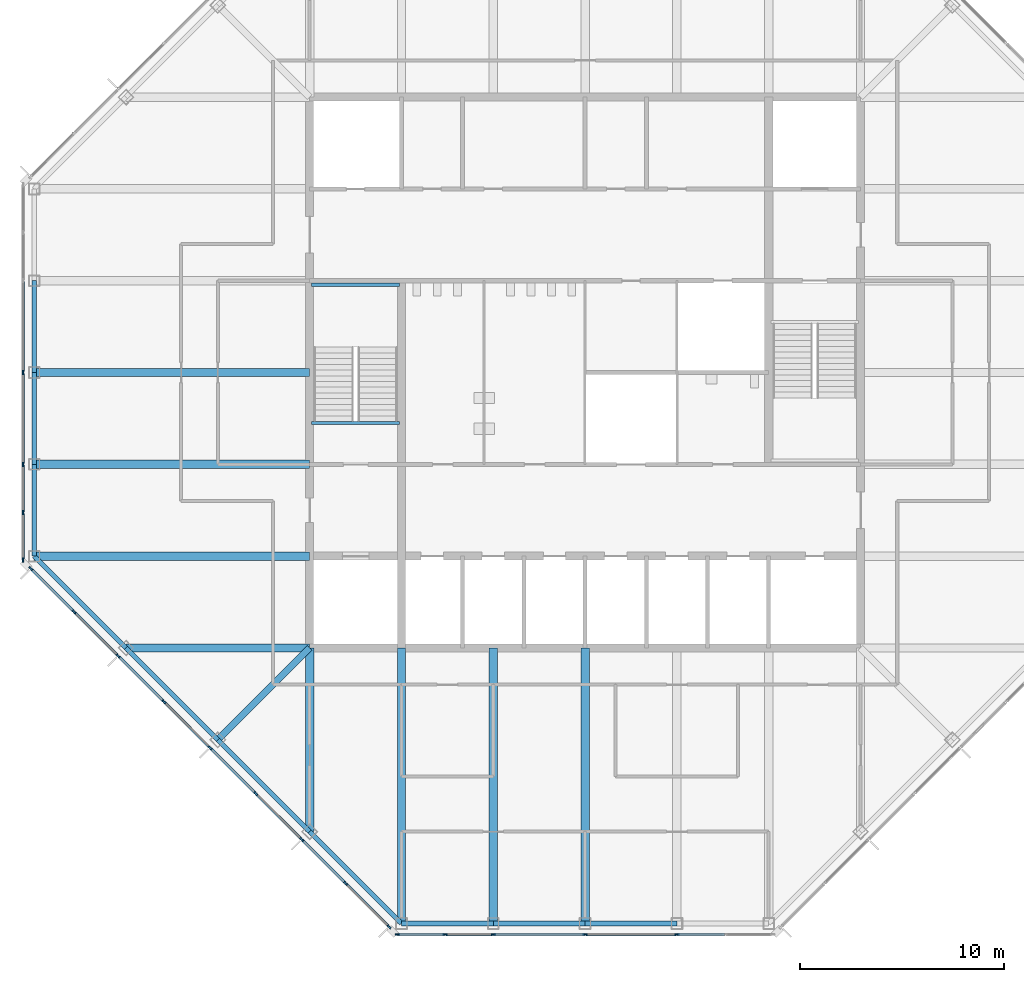
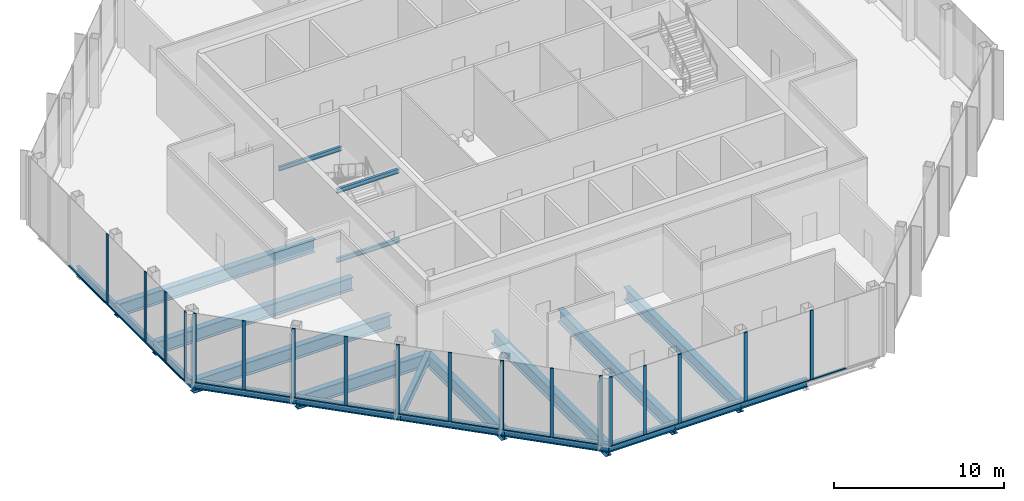
# One storey, part 2 of 11: 35 members, 22 beams, 3 elements without a shape of their own.
"""IFC4 building model written with IfcOpenShell, lengths in metres."""

from ifc_helpers import new_model, si_unit, direction, frame, origin, origin_2d, place, context, subcontext, project, spatial, rectangle, i_section, extrude, material, material_profile, profile_set, type_object, element, aggregate, save


model = new_model("IFC4")

# Units and contexts
model_context = context("Model", 3, precision=1e-05, world=origin(), true_north=direction((0.0, 1.0)))
body_context = subcontext(model_context, "Body", "Model", "MODEL_VIEW")
ifc_project = project(units=[si_unit("LENGTHUNIT", "METRE"), si_unit("AREAUNIT", "SQUARE_METRE"), si_unit("VOLUMEUNIT", "CUBIC_METRE"), si_unit("PLANEANGLEUNIT", "RADIAN"), si_unit("MASSUNIT", "GRAM", prefix="KILO")], contexts=[model_context])

# Site, building, storey
site_placement = place(None, origin())
site = spatial("IfcSite", under=ifc_project, at=site_placement, CompositionType="ELEMENT")
building_placement = place(site_placement, origin())
building = spatial("IfcBuilding", under=site, at=building_placement, Name="Corais Broadcast Tower", CompositionType="ELEMENT")
storey_placement = place(building_placement, frame((0.0, 0.0, 315.10009765625)))
storey = spatial("IfcBuildingStorey", under=building, at=storey_placement, Name="L74", CompositionType="ELEMENT", Elevation=315.10009765625)

# Beams
ifc_material_1 = material(Name="Steel ASTM A572 Grade 50", Category="steel")
ifc_material_profile_1 = material_profile(ifc_material_1, i_section(OverallWidth=0.323974609375, OverallDepth=0.611083984375, WebThickness=0.0126953125, FlangeThickness=0.01904296875, at=origin_2d()), Name="W610x155")
ifc_profile_set_1 = profile_set([ifc_material_profile_1], Name="Steel ASTM A572 Grade 50")
beam_type_1 = type_object("IfcBeamType", Name="Corner diagonal W610x155", PredefinedType="BEAM", material=ifc_profile_set_1)
beam_1_placement = place(storey_placement, frame((9.0, 9.0, -0.485595703125), z_axis=(0.707106781187, 0.707106781187, 0.0), x_axis=(-0.707106781187, 0.707106781187, 0.0)))
element("IfcBeam", 1, at=beam_1_placement, inside=storey, type_object=beam_type_1, Name="B6 C/5 to D/6", PredefinedType="BEAM", context=body_context, shape_type="SweptSolid", body=[
    extrude(i_section(OverallWidth=0.323974609375, OverallDepth=0.611083984375, WebThickness=0.0126953125, FlangeThickness=0.01904296875, at=origin_2d()), origin(), (0.0, 0.0, 1.0), 6.364013671875),
])
ifc_material_2 = material(Name="Steel ASTM A572 Grade 50", Category="steel")
ifc_material_profile_2 = material_profile(ifc_material_2, i_section(OverallWidth=0.1650390625, OverallDepth=0.31005859375, WebThickness=0.005859375, FlangeThickness=0.009765625, at=origin_2d()), Name="W310x38.7")
ifc_profile_set_2 = profile_set([ifc_material_profile_2], Name="Steel ASTM A572 Grade 50")
beam_type_2 = type_object("IfcBeamType", Name="Landing trimmer W310x38.7", PredefinedType="BEAM", material=ifc_profile_set_2)
for number, where, z_axis, x_axis, name in (
    (2, (13.60009765625, 24.52490234375, -0.35498046875), (1.0, 0.0, 0.0), (0.0, 1.0, 0.0), "LT1 stair A landing trimmer L74"),
    (3, (13.60009765625, 24.52490234375, 4.64501953125), (1.0, 0.0, 0.0), (0.0, 1.0, 0.0), "LT1 stair A landing trimmer L74"),
    (4, (13.60009765625, 31.31005859375, 2.14501953125), (1.0, 0.0, 0.0), (0.0, 1.0, 0.0), "LT1 stair A half landing trimmer L74"),
):
    element("IfcBeam", number, at=place(storey_placement, frame(where, z_axis=z_axis, x_axis=x_axis)), inside=storey, type_object=beam_type_2, Name=name, PredefinedType="BEAM", context=body_context, shape_type="SweptSolid", body=[
        extrude(i_section(OverallWidth=0.1650390625, OverallDepth=0.31005859375, WebThickness=0.005859375, FlangeThickness=0.009765625, at=origin_2d()), origin(), (0.0, 0.0, 1.0), 4.2998046875),
    ])

# Curtain wall, members
ifc_material_3 = material(Name="Aluminium and glass", Category="aluminium")
curtain_wall_type = type_object("IfcCurtainWallType", Name="Event hall curtain wall CW6", PredefinedType="NOTDEFINED", material=ifc_material_3)
curtain_wall_1_placement = place(storey_placement, origin())
curtain_wall_1 = element("IfcCurtainWall", 5, at=curtain_wall_1_placement, inside=storey, type_object=curtain_wall_type, Name="CW6 curtain wall L74 1", PredefinedType="NOTDEFINED")
ifc_material_4 = material(Name="Aluminium 6063-T6", Category="aluminium")
ifc_material_profile_3 = material_profile(ifc_material_4, rectangle(XDim=0.080078125, YDim=0.219970703125, at=origin_2d()), Name="Mullion CW6 80x220")
ifc_profile_set_3 = profile_set([ifc_material_profile_3], Name="Aluminium 6063-T6")
member_type_1 = type_object("IfcMemberType", Name="Mullion CW6 80x220", PredefinedType="MULLION", material=ifc_profile_set_3)
member_1_placement = place(storey_placement, frame((17.390380859375, -0.168212890625, 0.0), z_axis=(0.0, 0.0, 1.0), x_axis=(-0.707106781187, -0.707106781187, 0.0)))
member_1 = element("IfcMember", 6, at=member_1_placement, type_object=member_type_1, Name="CW6 mullion 1", PredefinedType="MULLION", context=body_context, shape_type="SweptSolid", body=[
    extrude(rectangle(XDim=0.080078125, YDim=0.219970703125, at=origin_2d()), origin(), (0.0, 0.0, 1.0), 5.0),
])
member_2_placement = place(storey_placement, frame((15.264892578125, 1.957275390625, 0.0), z_axis=(0.0, 0.0, 1.0), x_axis=(-0.707106781187, -0.707106781187, 0.0)))
member_2 = element("IfcMember", 7, at=member_2_placement, type_object=member_type_1, Name="CW6 mullion 2", PredefinedType="MULLION", context=body_context, shape_type="SweptSolid", body=[
    extrude(rectangle(XDim=0.080078125, YDim=0.219970703125, at=origin_2d()), origin(), (0.0, 0.0, 1.0), 5.0),
])
member_3_placement = place(storey_placement, frame((13.111083984375, 4.111083984375, 0.0), z_axis=(0.0, 0.0, 1.0), x_axis=(-0.707106781187, -0.707106781187, 0.0)))
member_3 = element("IfcMember", 8, at=member_3_placement, type_object=member_type_1, Name="CW6 mullion 3", PredefinedType="MULLION", context=body_context, shape_type="SweptSolid", body=[
    extrude(rectangle(XDim=0.080078125, YDim=0.219970703125, at=origin_2d()), origin(), (0.0, 0.0, 1.0), 5.0),
])
member_4_placement = place(storey_placement, frame((10.861083984375, 6.361083984375, 0.0), z_axis=(0.0, 0.0, 1.0), x_axis=(-0.707106781187, -0.707106781187, 0.0)))
member_4 = element("IfcMember", 9, at=member_4_placement, type_object=member_type_1, Name="CW6 mullion 4", PredefinedType="MULLION", context=body_context, shape_type="SweptSolid", body=[
    extrude(rectangle(XDim=0.080078125, YDim=0.219970703125, at=origin_2d()), origin(), (0.0, 0.0, 1.0), 5.0),
])
member_5_placement = place(storey_placement, frame((8.611083984375, 8.611083984375, 0.0), z_axis=(0.0, 0.0, 1.0), x_axis=(-0.707106781187, -0.707106781187, 0.0)))
member_5 = element("IfcMember", 10, at=member_5_placement, type_object=member_type_1, Name="CW6 mullion 5", PredefinedType="MULLION", context=body_context, shape_type="SweptSolid", body=[
    extrude(rectangle(XDim=0.080078125, YDim=0.219970703125, at=origin_2d()), origin(), (0.0, 0.0, 1.0), 5.0),
])
member_6_placement = place(storey_placement, frame((6.361083984375, 10.861083984375, 0.0), z_axis=(0.0, 0.0, 1.0), x_axis=(-0.707106781187, -0.707106781187, 0.0)))
member_6 = element("IfcMember", 11, at=member_6_placement, type_object=member_type_1, Name="CW6 mullion 6", PredefinedType="MULLION", context=body_context, shape_type="SweptSolid", body=[
    extrude(rectangle(XDim=0.080078125, YDim=0.219970703125, at=origin_2d()), origin(), (0.0, 0.0, 1.0), 5.0),
])
member_7_placement = place(storey_placement, frame((4.111083984375, 13.111083984375, 0.0), z_axis=(0.0, 0.0, 1.0), x_axis=(-0.707106781187, -0.707106781187, 0.0)))
member_7 = element("IfcMember", 12, at=member_7_placement, type_object=member_type_1, Name="CW6 mullion 7", PredefinedType="MULLION", context=body_context, shape_type="SweptSolid", body=[
    extrude(rectangle(XDim=0.080078125, YDim=0.219970703125, at=origin_2d()), origin(), (0.0, 0.0, 1.0), 5.0),
])
member_8_placement = place(storey_placement, frame((1.957275390625, 15.264892578125, 0.0), z_axis=(0.0, 0.0, 1.0), x_axis=(-0.707106781187, -0.707106781187, 0.0)))
member_8 = element("IfcMember", 13, at=member_8_placement, type_object=member_type_1, Name="CW6 mullion 8", PredefinedType="MULLION", context=body_context, shape_type="SweptSolid", body=[
    extrude(rectangle(XDim=0.080078125, YDim=0.219970703125, at=origin_2d()), origin(), (0.0, 0.0, 1.0), 5.0),
])
member_9_placement = place(storey_placement, frame((-0.168212890625, 17.390380859375, 0.0), z_axis=(0.0, 0.0, 1.0), x_axis=(-0.707106781187, -0.707106781187, 0.0)))
member_9 = element("IfcMember", 14, at=member_9_placement, type_object=member_type_1, Name="CW6 mullion 9", PredefinedType="MULLION", context=body_context, shape_type="SweptSolid", body=[
    extrude(rectangle(XDim=0.080078125, YDim=0.219970703125, at=origin_2d()), origin(), (0.0, 0.0, 1.0), 5.0),
])

curtain_wall_2_placement = place(storey_placement, origin())
curtain_wall_2 = element("IfcCurtainWall", 15, at=curtain_wall_2_placement, inside=storey, type_object=curtain_wall_type, Name="CW6 curtain wall L74 2", PredefinedType="NOTDEFINED")
member_10_placement = place(storey_placement, frame((-0.550048828125, 17.812255859375, 0.0), z_axis=(0.0, 0.0, 1.0), x_axis=(-1.0, 0.0, 0.0)))
member_10 = element("IfcMember", 16, at=member_10_placement, type_object=member_type_1, Name="CW6 mullion 1", PredefinedType="MULLION", context=body_context, shape_type="SweptSolid", body=[
    extrude(rectangle(XDim=0.080078125, YDim=0.219970703125, at=origin_2d()), origin(), (0.0, 0.0, 1.0), 5.0),
])
member_11_placement = place(storey_placement, frame((-0.550048828125, 20.135986328125, 0.0), z_axis=(0.0, 0.0, 1.0), x_axis=(-1.0, 0.0, 0.0)))
member_11 = element("IfcMember", 17, at=member_11_placement, type_object=member_type_1, Name="CW6 mullion 2", PredefinedType="MULLION", context=body_context, shape_type="SweptSolid", body=[
    extrude(rectangle(XDim=0.080078125, YDim=0.219970703125, at=origin_2d()), origin(), (0.0, 0.0, 1.0), 5.0),
])
member_12_placement = place(storey_placement, frame((-0.550048828125, 22.5, 0.0), z_axis=(0.0, 0.0, 1.0), x_axis=(-1.0, 0.0, 0.0)))
member_12 = element("IfcMember", 18, at=member_12_placement, type_object=member_type_1, Name="CW6 mullion 3", PredefinedType="MULLION", context=body_context, shape_type="SweptSolid", body=[
    extrude(rectangle(XDim=0.080078125, YDim=0.219970703125, at=origin_2d()), origin(), (0.0, 0.0, 1.0), 5.0),
])
member_13_placement = place(storey_placement, frame((-0.550048828125, 27.0, 0.0), z_axis=(0.0, 0.0, 1.0), x_axis=(-1.0, 0.0, 0.0)))
member_13 = element("IfcMember", 19, at=member_13_placement, type_object=member_type_1, Name="CW6 mullion 4", PredefinedType="MULLION", context=body_context, shape_type="SweptSolid", body=[
    extrude(rectangle(XDim=0.080078125, YDim=0.219970703125, at=origin_2d()), origin(), (0.0, 0.0, 1.0), 5.0),
])

curtain_wall_3_placement = place(storey_placement, origin())
curtain_wall_3 = element("IfcCurtainWall", 20, at=curtain_wall_3_placement, inside=storey, type_object=curtain_wall_type, Name="CW6 curtain wall L74 8", PredefinedType="NOTDEFINED")
member_14_placement = place(storey_placement, frame((31.5, -0.550048828125, 0.0), z_axis=(0.0, 0.0, 1.0), x_axis=(0.0, -1.0, 0.0)))
member_14 = element("IfcMember", 21, at=member_14_placement, type_object=member_type_1, Name="CW6 mullion 3", PredefinedType="MULLION", context=body_context, shape_type="SweptSolid", body=[
    extrude(rectangle(XDim=0.080078125, YDim=0.219970703125, at=origin_2d()), origin(), (0.0, 0.0, 1.0), 5.0),
])
member_15_placement = place(storey_placement, frame((27.0, -0.550048828125, 0.0), z_axis=(0.0, 0.0, 1.0), x_axis=(0.0, -1.0, 0.0)))
member_15 = element("IfcMember", 22, at=member_15_placement, type_object=member_type_1, Name="CW6 mullion 4", PredefinedType="MULLION", context=body_context, shape_type="SweptSolid", body=[
    extrude(rectangle(XDim=0.080078125, YDim=0.219970703125, at=origin_2d()), origin(), (0.0, 0.0, 1.0), 5.0),
])
member_16_placement = place(storey_placement, frame((22.5, -0.550048828125, 0.0), z_axis=(0.0, 0.0, 1.0), x_axis=(0.0, -1.0, 0.0)))
member_16 = element("IfcMember", 23, at=member_16_placement, type_object=member_type_1, Name="CW6 mullion 5", PredefinedType="MULLION", context=body_context, shape_type="SweptSolid", body=[
    extrude(rectangle(XDim=0.080078125, YDim=0.219970703125, at=origin_2d()), origin(), (0.0, 0.0, 1.0), 5.0),
])
member_17_placement = place(storey_placement, frame((20.135986328125, -0.550048828125, 0.0), z_axis=(0.0, 0.0, 1.0), x_axis=(0.0, -1.0, 0.0)))
member_17 = element("IfcMember", 24, at=member_17_placement, type_object=member_type_1, Name="CW6 mullion 6", PredefinedType="MULLION", context=body_context, shape_type="SweptSolid", body=[
    extrude(rectangle(XDim=0.080078125, YDim=0.219970703125, at=origin_2d()), origin(), (0.0, 0.0, 1.0), 5.0),
])
member_18_placement = place(storey_placement, frame((17.812255859375, -0.550048828125, 0.0), z_axis=(0.0, 0.0, 1.0), x_axis=(0.0, -1.0, 0.0)))
member_18 = element("IfcMember", 25, at=member_18_placement, type_object=member_type_1, Name="CW6 mullion 7", PredefinedType="MULLION", context=body_context, shape_type="SweptSolid", body=[
    extrude(rectangle(XDim=0.080078125, YDim=0.219970703125, at=origin_2d()), origin(), (0.0, 0.0, 1.0), 5.0),
])

# Beams
ifc_material_5 = material(Name="Steel ASTM A572 Grade 50", Category="steel")
ifc_material_profile_4 = material_profile(ifc_material_5, i_section(OverallWidth=0.408935546875, OverallDepth=0.927001953125, WebThickness=0.0166015625, FlangeThickness=0.030029296875, at=origin_2d()), Name="W920x289")
ifc_profile_set_4 = profile_set([ifc_material_profile_4], Name="Steel ASTM A572 Grade 50")
beam_type_3 = type_object("IfcBeamType", Name="Refuge floor beam W920x289", PredefinedType="BEAM", material=ifc_profile_set_4)
for number, where, z_axis, x_axis, name in (
    (26, (0.0, 18.0, -0.6435546875), (1.0, 0.0, 0.0), (0.0, 1.0, 0.0), "B13 E/3 to E/6"),
    (27, (0.0, 22.5, -0.6435546875), (1.0, 0.0, 0.0), (0.0, 1.0, 0.0), "B13 F/3 to F/6"),
    (28, (0.0, 27.0, -0.6435546875), (1.0, 0.0, 0.0), (0.0, 1.0, 0.0), "B13 G/3 to G/6"),
):
    element("IfcBeam", number, at=place(storey_placement, frame(where, z_axis=z_axis, x_axis=x_axis)), inside=storey, type_object=beam_type_3, Name=name, PredefinedType="BEAM", context=body_context, shape_type="SweptSolid", body=[
        extrude(i_section(OverallWidth=0.408935546875, OverallDepth=0.927001953125, WebThickness=0.0166015625, FlangeThickness=0.030029296875, at=origin_2d()), origin(), (0.0, 0.0, 1.0), 13.5),
    ])
beam_2_placement = place(storey_placement, frame((13.5, 4.5, -0.6435546875), z_axis=(0.0, 1.0, 0.0), x_axis=(-1.0, 0.0, 0.0)))
element("IfcBeam", 29, at=beam_2_placement, inside=storey, type_object=beam_type_3, Name="B13 B/6 to D/6", PredefinedType="BEAM", context=body_context, shape_type="SweptSolid", body=[
    extrude(i_section(OverallWidth=0.408935546875, OverallDepth=0.927001953125, WebThickness=0.0166015625, FlangeThickness=0.030029296875, at=origin_2d()), origin(), (0.0, 0.0, 1.0), 9.0),
])
for number, where, z_axis, x_axis, name in (
    (30, (18.0, 0.0, -0.6435546875), (0.0, 1.0, 0.0), (-1.0, 0.0, 0.0), "B13 A/7 to D/7"),
    (31, (22.5, 0.0, -0.6435546875), (0.0, 1.0, 0.0), (-1.0, 0.0, 0.0), "B13 A/8 to D/8"),
    (32, (27.0, 0.0, -0.6435546875), (0.0, 1.0, 0.0), (-1.0, 0.0, 0.0), "B13 A/9 to D/9"),
):
    element("IfcBeam", number, at=place(storey_placement, frame(where, z_axis=z_axis, x_axis=x_axis)), inside=storey, type_object=beam_type_3, Name=name, PredefinedType="BEAM", context=body_context, shape_type="SweptSolid", body=[
        extrude(i_section(OverallWidth=0.408935546875, OverallDepth=0.927001953125, WebThickness=0.0166015625, FlangeThickness=0.030029296875, at=origin_2d()), origin(), (0.0, 0.0, 1.0), 13.5),
    ])
beam_3_placement = place(storey_placement, frame((4.5, 13.5, -0.6435546875), z_axis=(1.0, 0.0, 0.0), x_axis=(0.0, 1.0, 0.0)))
element("IfcBeam", 33, at=beam_3_placement, inside=storey, type_object=beam_type_3, Name="B13 D/4 to D/6", PredefinedType="BEAM", context=body_context, shape_type="SweptSolid", body=[
    extrude(i_section(OverallWidth=0.408935546875, OverallDepth=0.927001953125, WebThickness=0.0166015625, FlangeThickness=0.030029296875, at=origin_2d()), origin(), (0.0, 0.0, 1.0), 9.0),
])
ifc_material_6 = material(Name="Steel ASTM A572 Grade 50", Category="steel")
ifc_material_profile_5 = material_profile(ifc_material_6, i_section(OverallWidth=0.22998046875, OverallDepth=0.616943359375, WebThickness=0.01318359375, FlangeThickness=0.022216796875, at=origin_2d()), Name="W610x140")
ifc_profile_set_5 = profile_set([ifc_material_profile_5], Name="Steel ASTM A572 Grade 50")
beam_type_4 = type_object("IfcBeamType", Name="Spandrel W610x140", PredefinedType="BEAM", material=ifc_profile_set_5)
beam_4_placement = place(storey_placement, frame((0.0, 18.0, -0.488525390625), z_axis=(0.707106781187, -0.707106781187, 0.0), x_axis=(0.707106781187, 0.707106781187, 0.0)))
element("IfcBeam", 34, at=beam_4_placement, inside=storey, type_object=beam_type_4, Name="SB3 E/3 to D/4", PredefinedType="BEAM", context=body_context, shape_type="SweptSolid", body=[
    extrude(i_section(OverallWidth=0.22998046875, OverallDepth=0.616943359375, WebThickness=0.01318359375, FlangeThickness=0.022216796875, at=origin_2d()), origin(), (0.0, 0.0, 1.0), 6.364013671875),
])
for number, where, z_axis, x_axis, name in (
    (35, (0.0, 22.5, -0.488525390625), (0.0, -1.0, 0.0), (1.0, 0.0, 0.0), "SB3 F/3 to E/3"),
    (36, (0.0, 27.0, -0.488525390625), (0.0, -1.0, 0.0), (1.0, 0.0, 0.0), "SB3 G/3 to F/3"),
    (37, (0.0, 31.5, -0.488525390625), (0.0, -1.0, 0.0), (1.0, 0.0, 0.0), "SB3 H/3 to G/3"),
):
    element("IfcBeam", number, at=place(storey_placement, frame(where, z_axis=z_axis, x_axis=x_axis)), inside=storey, type_object=beam_type_4, Name=name, PredefinedType="BEAM", context=body_context, shape_type="SweptSolid", body=[
        extrude(i_section(OverallWidth=0.22998046875, OverallDepth=0.616943359375, WebThickness=0.01318359375, FlangeThickness=0.022216796875, at=origin_2d()), origin(), (0.0, 0.0, 1.0), 4.5),
    ])
beam_5_placement = place(storey_placement, frame((13.5, 4.5, -0.488525390625), z_axis=(0.707106781187, -0.707106781187, 0.0), x_axis=(0.707106781187, 0.707106781187, 0.0)))
element("IfcBeam", 38, at=beam_5_placement, inside=storey, type_object=beam_type_4, Name="SB3 B/6 to A/7", PredefinedType="BEAM", context=body_context, shape_type="SweptSolid", body=[
    extrude(i_section(OverallWidth=0.22998046875, OverallDepth=0.616943359375, WebThickness=0.01318359375, FlangeThickness=0.022216796875, at=origin_2d()), origin(), (0.0, 0.0, 1.0), 6.364013671875),
])
for number, where, z_axis, x_axis, name in (
    (39, (18.0, 0.0, -0.488525390625), (1.0, 0.0, 0.0), (0.0, 1.0, 0.0), "SB3 A/7 to A/8"),
    (40, (22.5, 0.0, -0.488525390625), (1.0, 0.0, 0.0), (0.0, 1.0, 0.0), "SB3 A/8 to A/9"),
    (41, (27.0, 0.0, -0.488525390625), (1.0, 0.0, 0.0), (0.0, 1.0, 0.0), "SB3 A/9 to A/10"),
):
    element("IfcBeam", number, at=place(storey_placement, frame(where, z_axis=z_axis, x_axis=x_axis)), inside=storey, type_object=beam_type_4, Name=name, PredefinedType="BEAM", context=body_context, shape_type="SweptSolid", body=[
        extrude(i_section(OverallWidth=0.22998046875, OverallDepth=0.616943359375, WebThickness=0.01318359375, FlangeThickness=0.022216796875, at=origin_2d()), origin(), (0.0, 0.0, 1.0), 4.5),
    ])
for number, where, z_axis, x_axis, name in (
    (42, (4.5, 13.5, -0.488525390625), (0.707106781187, -0.707106781187, 0.0), (0.707106781187, 0.707106781187, 0.0), "SB3 D/4 to C/5"),
    (43, (9.0, 9.0, -0.488525390625), (0.707106781187, -0.707106781187, 0.0), (0.707106781187, 0.707106781187, 0.0), "SB3 C/5 to B/6"),
):
    element("IfcBeam", number, at=place(storey_placement, frame(where, z_axis=z_axis, x_axis=x_axis)), inside=storey, type_object=beam_type_4, Name=name, PredefinedType="BEAM", context=body_context, shape_type="SweptSolid", body=[
        extrude(i_section(OverallWidth=0.22998046875, OverallDepth=0.616943359375, WebThickness=0.01318359375, FlangeThickness=0.022216796875, at=origin_2d()), origin(), (0.0, 0.0, 1.0), 6.364013671875),
    ])

# Member
ifc_material_7 = material(Name="Aluminium 6063-T6", Category="aluminium")
ifc_material_profile_6 = material_profile(ifc_material_7, rectangle(XDim=0.14990234375, YDim=0.080078125, at=origin_2d()), Name="Transom CW6 80x150")
ifc_profile_set_6 = profile_set([ifc_material_profile_6], Name="Aluminium 6063-T6")
member_type_2 = type_object("IfcMemberType", Name="Transom CW6 80x150", PredefinedType="USERDEFINED", material=ifc_profile_set_6)
member_19_placement = place(storey_placement, frame((17.362060546875, -0.139892578125, 0.039794921875), z_axis=(-0.707106781187, 0.707106781187, 0.0), x_axis=(-0.707106781187, -0.707106781187, 0.0)))
member_19 = element("IfcMember", 44, at=member_19_placement, type_object=member_type_2, Name="CW6 transom 1.1", ObjectType="TRANSOM", PredefinedType="USERDEFINED", context=body_context, shape_type="SweptSolid", body=[
    extrude(rectangle(XDim=0.14990234375, YDim=0.080078125, at=origin_2d()), origin(), (0.0, 0.0, 1.0), 2.92578125),
])

member_20_placement = place(storey_placement, frame((15.236572265625, 1.985595703125, 0.039794921875), z_axis=(-0.707106781187, 0.707106781187, 0.0), x_axis=(-0.707106781187, -0.707106781187, 0.0)))
member_20 = element("IfcMember", 45, at=member_20_placement, type_object=member_type_2, Name="CW6 transom 2.1", ObjectType="TRANSOM", PredefinedType="USERDEFINED", context=body_context, shape_type="SweptSolid", body=[
    extrude(rectangle(XDim=0.14990234375, YDim=0.080078125, at=origin_2d()), origin(), (0.0, 0.0, 1.0), 2.9658203125),
])

member_21_placement = place(storey_placement, frame((13.082763671875, 4.139404296875, 0.039794921875), z_axis=(-0.707106781187, 0.707106781187, 0.0), x_axis=(-0.707106781187, -0.707106781187, 0.0)))
member_21 = element("IfcMember", 46, at=member_21_placement, type_object=member_type_2, Name="CW6 transom 3.1", ObjectType="TRANSOM", PredefinedType="USERDEFINED", context=body_context, shape_type="SweptSolid", body=[
    extrude(rectangle(XDim=0.14990234375, YDim=0.080078125, at=origin_2d()), origin(), (0.0, 0.0, 1.0), 3.101806640625),
])

member_22_placement = place(storey_placement, frame((10.832763671875, 6.389404296875, 0.039794921875), z_axis=(-0.707106781187, 0.707106781187, 0.0), x_axis=(-0.707106781187, -0.707106781187, 0.0)))
member_22 = element("IfcMember", 47, at=member_22_placement, type_object=member_type_2, Name="CW6 transom 4.1", ObjectType="TRANSOM", PredefinedType="USERDEFINED", context=body_context, shape_type="SweptSolid", body=[
    extrude(rectangle(XDim=0.14990234375, YDim=0.080078125, at=origin_2d()), origin(), (0.0, 0.0, 1.0), 3.101806640625),
])

member_23_placement = place(storey_placement, frame((8.582763671875, 8.639404296875, 0.039794921875), z_axis=(-0.707106781187, 0.707106781187, 0.0), x_axis=(-0.707106781187, -0.707106781187, 0.0)))
member_23 = element("IfcMember", 48, at=member_23_placement, type_object=member_type_2, Name="CW6 transom 5.1", ObjectType="TRANSOM", PredefinedType="USERDEFINED", context=body_context, shape_type="SweptSolid", body=[
    extrude(rectangle(XDim=0.14990234375, YDim=0.080078125, at=origin_2d()), origin(), (0.0, 0.0, 1.0), 3.101806640625),
])

member_24_placement = place(storey_placement, frame((6.332763671875, 10.889404296875, 0.039794921875), z_axis=(-0.707106781187, 0.707106781187, 0.0), x_axis=(-0.707106781187, -0.707106781187, 0.0)))
member_24 = element("IfcMember", 49, at=member_24_placement, type_object=member_type_2, Name="CW6 transom 6.1", ObjectType="TRANSOM", PredefinedType="USERDEFINED", context=body_context, shape_type="SweptSolid", body=[
    extrude(rectangle(XDim=0.14990234375, YDim=0.080078125, at=origin_2d()), origin(), (0.0, 0.0, 1.0), 3.101806640625),
])

member_25_placement = place(storey_placement, frame((4.082763671875, 13.139404296875, 0.039794921875), z_axis=(-0.707106781187, 0.707106781187, 0.0), x_axis=(-0.707106781187, -0.707106781187, 0.0)))
member_25 = element("IfcMember", 50, at=member_25_placement, type_object=member_type_2, Name="CW6 transom 7.1", ObjectType="TRANSOM", PredefinedType="USERDEFINED", context=body_context, shape_type="SweptSolid", body=[
    extrude(rectangle(XDim=0.14990234375, YDim=0.080078125, at=origin_2d()), origin(), (0.0, 0.0, 1.0), 2.9658203125),
])

member_26_placement = place(storey_placement, frame((1.92919921875, 15.293212890625, 0.039794921875), z_axis=(-0.707148499631, 0.70706506028, 0.0), x_axis=(-0.70706506028, -0.707148499631, 0.0)))
member_26 = element("IfcMember", 51, at=member_26_placement, type_object=member_type_2, Name="CW6 transom 8.1", ObjectType="TRANSOM", PredefinedType="USERDEFINED", context=body_context, shape_type="SweptSolid", body=[
    extrude(rectangle(XDim=0.14990234375, YDim=0.080078125, at=origin_2d()), origin(), (0.0, 0.0, 1.0), 2.926025390625),
])

aggregate(curtain_wall_1, [member_1, member_2, member_3, member_4, member_5, member_6, member_7, member_8, member_9, member_19, member_20, member_21, member_22, member_23, member_24, member_25, member_26])

member_27_placement = place(storey_placement, frame((-0.550048828125, 17.852294921875, 0.039794921875), z_axis=(0.0, 1.0, 0.0), x_axis=(-1.0, 0.0, 0.0)))
member_27 = element("IfcMember", 52, at=member_27_placement, type_object=member_type_2, Name="CW6 transom 1.1", ObjectType="TRANSOM", PredefinedType="USERDEFINED", context=body_context, shape_type="SweptSolid", body=[
    extrude(rectangle(XDim=0.14990234375, YDim=0.080078125, at=origin_2d()), origin(), (0.0, 0.0, 1.0), 2.243896484375),
])

member_28_placement = place(storey_placement, frame((-0.550048828125, 20.176025390625, 0.039794921875), z_axis=(0.0, 1.0, 0.0), x_axis=(-1.0, 0.0, 0.0)))
member_28 = element("IfcMember", 53, at=member_28_placement, type_object=member_type_2, Name="CW6 transom 2.1", ObjectType="TRANSOM", PredefinedType="USERDEFINED", context=body_context, shape_type="SweptSolid", body=[
    extrude(rectangle(XDim=0.14990234375, YDim=0.080078125, at=origin_2d()), origin(), (0.0, 0.0, 1.0), 2.283935546875),
])

member_29_placement = place(storey_placement, frame((-0.550048828125, 22.5400390625, 0.039794921875), z_axis=(0.0, 1.0, 0.0), x_axis=(-1.0, 0.0, 0.0)))
member_29 = element("IfcMember", 54, at=member_29_placement, type_object=member_type_2, Name="CW6 transom 3.1", ObjectType="TRANSOM", PredefinedType="USERDEFINED", context=body_context, shape_type="SweptSolid", body=[
    extrude(rectangle(XDim=0.14990234375, YDim=0.080078125, at=origin_2d()), origin(), (0.0, 0.0, 1.0), 4.419921875),
])

member_30_placement = place(storey_placement, frame((-0.550048828125, 27.0400390625, 0.039794921875), z_axis=(0.0, 1.0, 0.0), x_axis=(-1.0, 0.0, 0.0)))
member_30 = element("IfcMember", 55, at=member_30_placement, type_object=member_type_2, Name="CW6 transom 4.1", ObjectType="TRANSOM", PredefinedType="USERDEFINED", context=body_context, shape_type="SweptSolid", body=[
    extrude(rectangle(XDim=0.14990234375, YDim=0.080078125, at=origin_2d()), origin(), (0.0, 0.0, 1.0), 4.419921875),
])

aggregate(curtain_wall_2, [member_10, member_11, member_12, member_13, member_27, member_28, member_29, member_30])

member_31_placement = place(storey_placement, frame((33.823974609375, -0.550048828125, 0.039794921875), z_axis=(-1.0, 0.0, 0.0), x_axis=(0.0, -1.0, 0.0)))
member_31 = element("IfcMember", 56, at=member_31_placement, type_object=member_type_2, Name="CW6 transom 2.1", ObjectType="TRANSOM", PredefinedType="USERDEFINED", context=body_context, shape_type="SweptSolid", body=[
    extrude(rectangle(XDim=0.14990234375, YDim=0.080078125, at=origin_2d()), origin(), (0.0, 0.0, 1.0), 2.283935546875),
])

member_32_placement = place(storey_placement, frame((31.4599609375, -0.550048828125, 0.039794921875), z_axis=(-1.0, 0.0, 0.0), x_axis=(0.0, -1.0, 0.0)))
member_32 = element("IfcMember", 57, at=member_32_placement, type_object=member_type_2, Name="CW6 transom 3.1", ObjectType="TRANSOM", PredefinedType="USERDEFINED", context=body_context, shape_type="SweptSolid", body=[
    extrude(rectangle(XDim=0.14990234375, YDim=0.080078125, at=origin_2d()), origin(), (0.0, 0.0, 1.0), 4.419921875),
])

member_33_placement = place(storey_placement, frame((26.9599609375, -0.550048828125, 0.039794921875), z_axis=(-1.0, 0.0, 0.0), x_axis=(0.0, -1.0, 0.0)))
member_33 = element("IfcMember", 58, at=member_33_placement, type_object=member_type_2, Name="CW6 transom 4.1", ObjectType="TRANSOM", PredefinedType="USERDEFINED", context=body_context, shape_type="SweptSolid", body=[
    extrude(rectangle(XDim=0.14990234375, YDim=0.080078125, at=origin_2d()), origin(), (0.0, 0.0, 1.0), 4.419921875),
])

member_34_placement = place(storey_placement, frame((22.4599609375, -0.550048828125, 0.039794921875), z_axis=(-1.0, 0.0, 0.0), x_axis=(0.0, -1.0, 0.0)))
member_34 = element("IfcMember", 59, at=member_34_placement, type_object=member_type_2, Name="CW6 transom 5.1", ObjectType="TRANSOM", PredefinedType="USERDEFINED", context=body_context, shape_type="SweptSolid", body=[
    extrude(rectangle(XDim=0.14990234375, YDim=0.080078125, at=origin_2d()), origin(), (0.0, 0.0, 1.0), 2.283935546875),
])

member_35_placement = place(storey_placement, frame((20.09619140625, -0.550048828125, 0.039794921875), z_axis=(-1.0, 0.0, 0.0), x_axis=(0.0, -1.0, 0.0)))
member_35 = element("IfcMember", 60, at=member_35_placement, type_object=member_type_2, Name="CW6 transom 6.1", ObjectType="TRANSOM", PredefinedType="USERDEFINED", context=body_context, shape_type="SweptSolid", body=[
    extrude(rectangle(XDim=0.14990234375, YDim=0.080078125, at=origin_2d()), origin(), (0.0, 0.0, 1.0), 2.243896484375),
])

aggregate(curtain_wall_3, [member_14, member_15, member_16, member_17, member_18, member_31, member_32, member_33, member_34, member_35])

save(model, "model.ifc")
